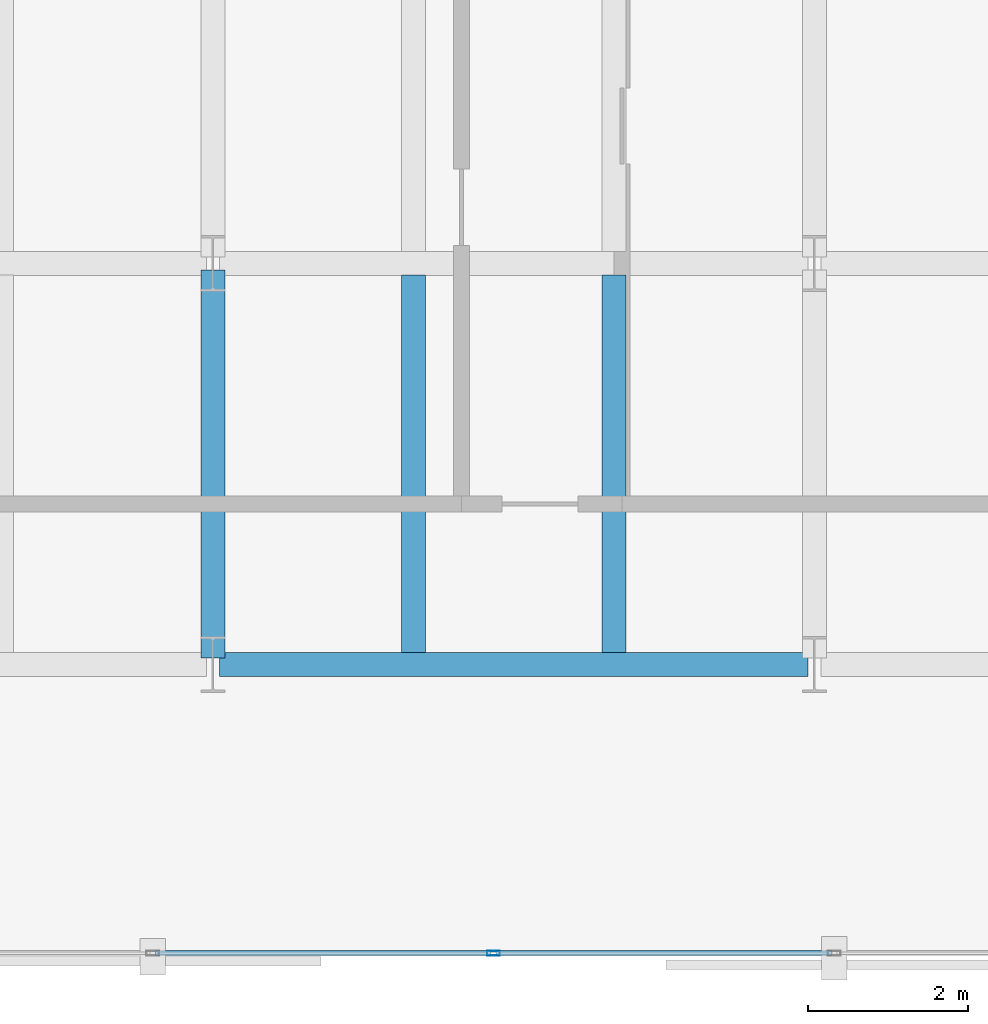
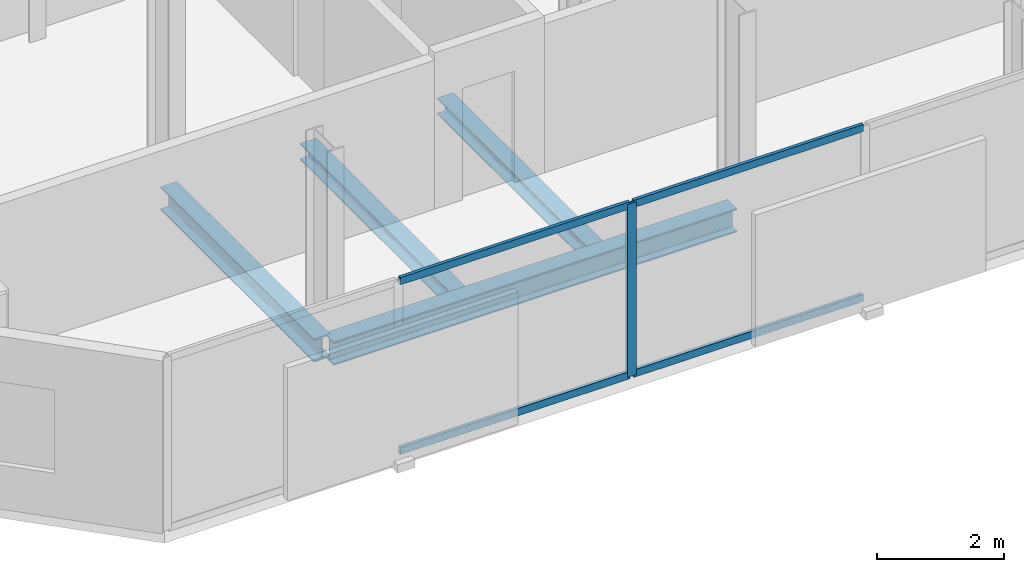
# One storey, part 4 of 33: 5 members, 4 beams, 1 element without a shape of its own.
"""IFC4 building model written with IfcOpenShell, lengths in metres."""

from ifc_helpers import new_model, si_unit, direction, frame, origin, origin_2d, place, context, subcontext, project, spatial, hollow_rectangle, i_section, extrude, material, layer, layer_set, material_profile, profile_set, type_object, element, aggregate, save


model = new_model("IFC4")

# Units and contexts
model_context = context("Model", 3, precision=1e-05, world=origin(), true_north=direction((0.0, 1.0)))
body_context = subcontext(model_context, "Body", "Model", "MODEL_VIEW")
ifc_project = project(units=[si_unit("LENGTHUNIT", "METRE"), si_unit("AREAUNIT", "SQUARE_METRE"), si_unit("VOLUMEUNIT", "CUBIC_METRE"), si_unit("PLANEANGLEUNIT", "RADIAN"), si_unit("MASSUNIT", "GRAM", prefix="KILO")], contexts=[model_context])

# Site, building, storey
site_placement = place(None, origin())
site = spatial("IfcSite", under=ifc_project, at=site_placement, CompositionType="ELEMENT")
building_placement = place(site_placement, origin())
building = spatial("IfcBuilding", under=site, at=building_placement, Name="Catumbela Crestline Tower", CompositionType="ELEMENT")
storey_placement = place(building_placement, frame((0.0, 0.0, 118.8)))
storey = spatial("IfcBuildingStorey", under=building, at=storey_placement, Name="L30", CompositionType="ELEMENT", Elevation=118.8)

# Beams
ifc_material_1 = material(Name="Structural steel S355J2", Category="steel")
ifc_material_profile_1 = material_profile(ifc_material_1, i_section(OverallWidth=0.3, OverallDepth=0.45, WebThickness=0.014, FlangeThickness=0.026, FilletRadius=0.027, at=origin_2d()), Name="HEB 450")
ifc_profile_set_1 = profile_set([ifc_material_profile_1], Name="Structural steel S355J2")
beam_type_1 = type_object("IfcBeamType", Name="BG-HEB450", PredefinedType="BEAM", material=ifc_profile_set_1)
beam_1_placement = place(storey_placement, frame((8.58, 8.6, -0.485), z_axis=(1.0, 0.0, 0.0), x_axis=(0.0, 1.0, 0.0)))
element("IfcBeam", 1, at=beam_1_placement, inside=storey, type_object=beam_type_1, Name="L30 Beam BM-L30-WEW44", PredefinedType="BEAM", context=body_context, shape_type="SweptSolid", body=[
    extrude(i_section(OverallWidth=0.3, OverallDepth=0.45, WebThickness=0.014, FlangeThickness=0.026, FilletRadius=0.027, at=origin_2d()), origin(), (0.0, 0.0, 1.0), 7.34),
])
beam_2_placement = place(storey_placement, frame((8.5, 8.68, -0.485), z_axis=(0.0, 1.0, 0.0), x_axis=(-1.0, 0.0, 0.0)))
element("IfcBeam", 2, at=beam_2_placement, inside=storey, type_object=beam_type_1, Name="L30 Beam BM-L30-WNS55", PredefinedType="BEAM", context=body_context, shape_type="SweptSolid", body=[
    extrude(i_section(OverallWidth=0.3, OverallDepth=0.45, WebThickness=0.014, FlangeThickness=0.026, FilletRadius=0.027, at=origin_2d()), origin(), (0.0, 0.0, 1.0), 4.84),
])
ifc_material_profile_2 = material_profile(ifc_material_1, i_section(OverallWidth=0.3, OverallDepth=0.31, WebThickness=0.009, FlangeThickness=0.0155, FilletRadius=0.027, at=origin_2d()), Name="HEA 320")
ifc_profile_set_2 = profile_set([ifc_material_profile_2], Name="Structural steel S355J2")
beam_type_2 = type_object("IfcBeamType", Name="BJ-HEA320", PredefinedType="JOIST", material=ifc_profile_set_2)
for number, where, z_axis, x_axis, name in (
    (3, (11.0, 8.747, -0.415), (0.0, 1.0, 0.0), (-1.0, 0.0, 0.0), "L30 Joist JS-L30-WG65"),
    (4, (13.5, 8.747, -0.415), (0.0, 1.0, 0.0), (-1.0, 0.0, 0.0), "L30 Joist JS-L30-WG66"),
):
    element("IfcBeam", number, at=place(storey_placement, frame(where, z_axis=z_axis, x_axis=x_axis)), inside=storey, type_object=beam_type_2, Name=name, PredefinedType="JOIST", context=body_context, shape_type="SweptSolid", body=[
        extrude(i_section(OverallWidth=0.3, OverallDepth=0.31, WebThickness=0.009, FlangeThickness=0.0155, FilletRadius=0.027, at=origin_2d()), origin(), (0.0, 0.0, 1.0), 4.706),
    ])

# Curtain wall, members
ifc_material_2 = material(Name="Aluminium alloy AW-6060-T66", Category="aluminium")
ifc_layer = layer(ifc_material_2, 0.18, Name="Aluminium alloy AW-6060-T66")
ifc_layer_set = layer_set([ifc_layer], Name="Aluminium alloy AW-6060-T66")
curtain_wall_type = type_object("IfcCurtainWallType", Name="CWU-Z2", PredefinedType="USERDEFINED", material=ifc_layer_set)
curtain_wall_placement = place(storey_placement, origin())
curtain_wall = element("IfcCurtainWall", 5, at=curtain_wall_placement, inside=storey, type_object=curtain_wall_type, Name="L30 Unitised Curtain Wall CW-L30-E0S1", ObjectType="UNITISED", PredefinedType="USERDEFINED")
ifc_material_profile_3 = material_profile(ifc_material_2, hollow_rectangle(XDim=0.06, YDim=0.16, WallThickness=0.004, at=origin_2d()), Name="ALU 160x60x4")
ifc_profile_set_3 = profile_set([ifc_material_profile_3], Name="Aluminium alloy AW-6060-T66")
member_type_1 = type_object("IfcMemberType", Name="MUL-160X60", PredefinedType="MULLION", material=ifc_profile_set_3)
member_1_placement = place(storey_placement, frame((12.0, 5.0, 0.0), z_axis=(0.0, 0.0, 1.0), x_axis=(0.0, 1.0, 0.0)))
member_1 = element("IfcMember", 6, at=member_1_placement, type_object=member_type_1, Name="CWU-Z2 mullion 3", PredefinedType="MULLION", context=body_context, shape_type="SweptSolid", body=[
    extrude(hollow_rectangle(XDim=0.06, YDim=0.16, WallThickness=0.004, at=origin_2d()), origin(), (0.0, 0.0, 1.0), 3.33),
])
ifc_material_profile_4 = material_profile(ifc_material_2, hollow_rectangle(XDim=0.06, YDim=0.14, WallThickness=0.004, at=origin_2d()), Name="ALU 140x60x4")
ifc_profile_set_4 = profile_set([ifc_material_profile_4], Name="Aluminium alloy AW-6060-T66")
member_type_2 = type_object("IfcMemberType", Name="TRN-140X60", PredefinedType="USERDEFINED", material=ifc_profile_set_4)
member_2_placement = place(storey_placement, frame((7.7825, 5.0, 0.03), z_axis=(1.0, 0.0, 0.0), x_axis=(0.0, 1.0, 0.0)))
member_2 = element("IfcMember", 7, at=member_2_placement, type_object=member_type_2, Name="CWU-Z2 transom 2.1", ObjectType="TRANSOM", PredefinedType="USERDEFINED", context=body_context, shape_type="SweptSolid", body=[
    extrude(hollow_rectangle(XDim=0.06, YDim=0.14, WallThickness=0.004, at=origin_2d()), origin(), (0.0, 0.0, 1.0), 4.185),
])
member_3_placement = place(storey_placement, frame((7.7825, 5.0, 3.3), z_axis=(1.0, 0.0, 0.0), x_axis=(0.0, 1.0, 0.0)))
member_3 = element("IfcMember", 8, at=member_3_placement, type_object=member_type_2, Name="CWU-Z2 transom 2.2", ObjectType="TRANSOM", PredefinedType="USERDEFINED", context=body_context, shape_type="SweptSolid", body=[
    extrude(hollow_rectangle(XDim=0.06, YDim=0.14, WallThickness=0.004, at=origin_2d()), origin(), (0.0, 0.0, 1.0), 4.185),
])
member_4_placement = place(storey_placement, frame((12.0325, 5.0, 0.03), z_axis=(1.0, 0.0, 0.0), x_axis=(0.0, 1.0, 0.0)))
member_4 = element("IfcMember", 9, at=member_4_placement, type_object=member_type_2, Name="CWU-Z2 transom 3.1", ObjectType="TRANSOM", PredefinedType="USERDEFINED", context=body_context, shape_type="SweptSolid", body=[
    extrude(hollow_rectangle(XDim=0.06, YDim=0.14, WallThickness=0.004, at=origin_2d()), origin(), (0.0, 0.0, 1.0), 4.185),
])
member_5_placement = place(storey_placement, frame((12.0325, 5.0, 3.3), z_axis=(1.0, 0.0, 0.0), x_axis=(0.0, 1.0, 0.0)))
member_5 = element("IfcMember", 10, at=member_5_placement, type_object=member_type_2, Name="CWU-Z2 transom 3.2", ObjectType="TRANSOM", PredefinedType="USERDEFINED", context=body_context, shape_type="SweptSolid", body=[
    extrude(hollow_rectangle(XDim=0.06, YDim=0.14, WallThickness=0.004, at=origin_2d()), origin(), (0.0, 0.0, 1.0), 4.185),
])
aggregate(curtain_wall, [member_1, member_2, member_3, member_4, member_5])

save(model, "model.ifc")
